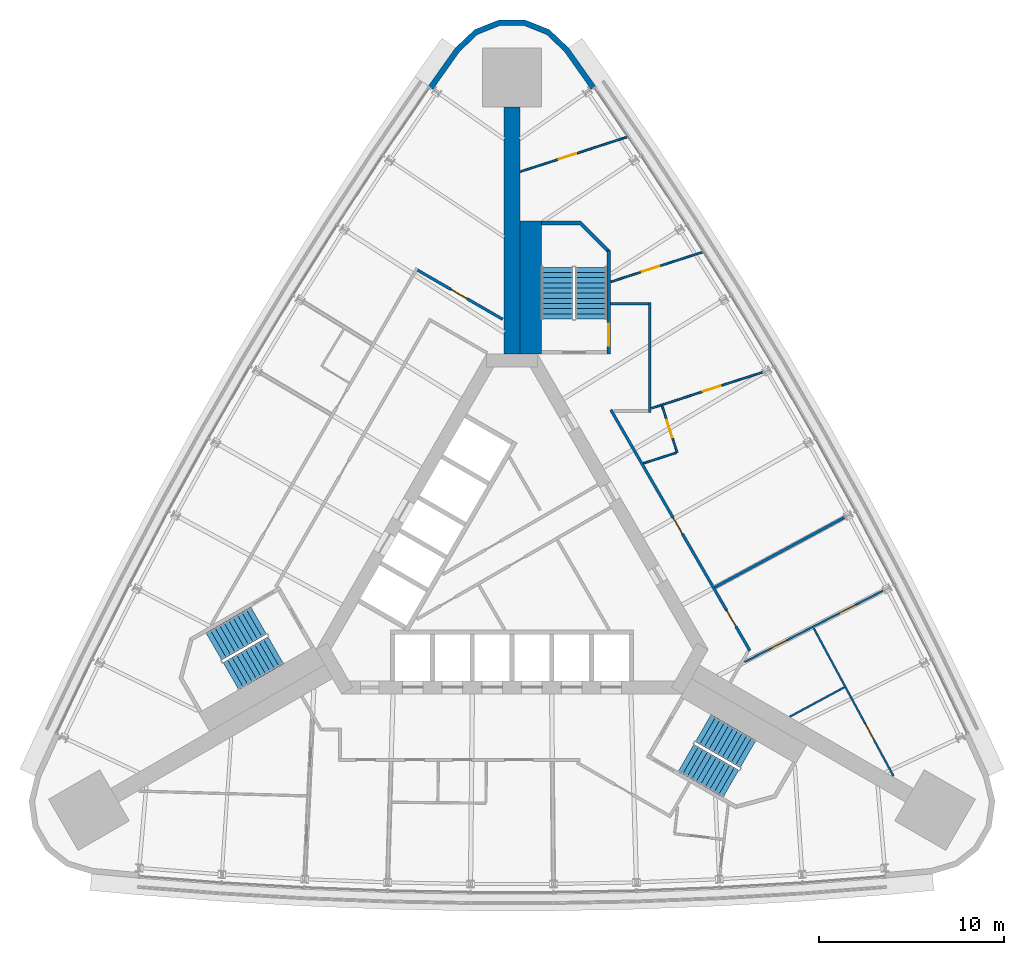
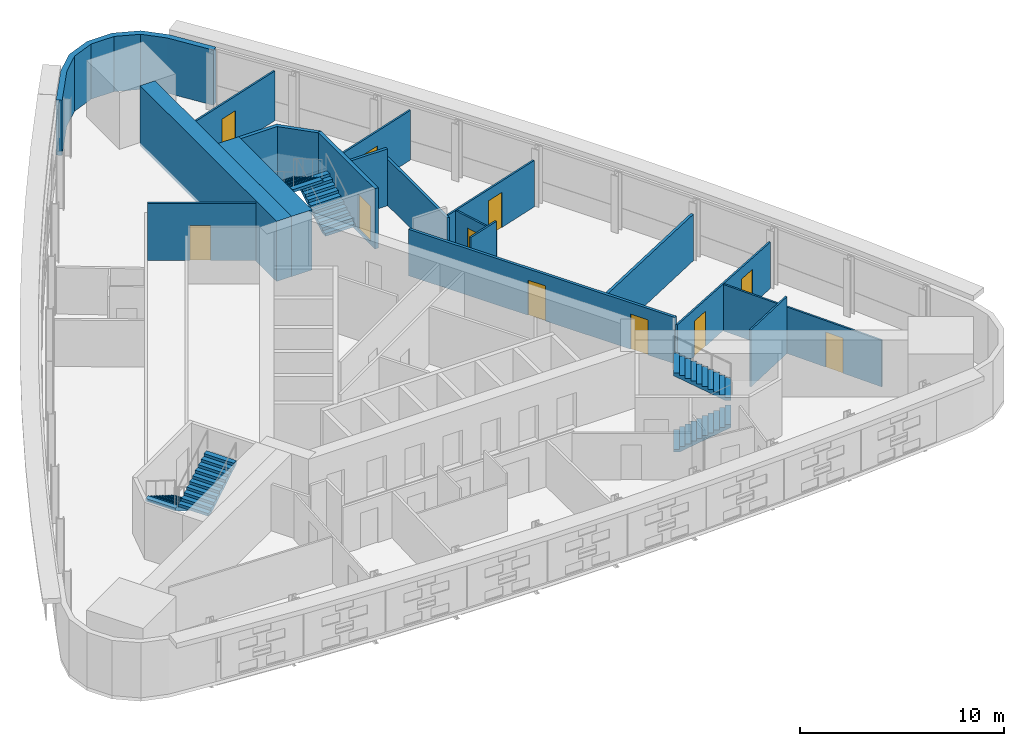
# One storey, part 11 of 14: 18 walls, 11 doors, 6 stair flights, 11 openings, 3 elements without a shape of their own.
"""IFC4 building model written with IfcOpenShell, lengths in metres."""

from ifc_helpers import new_model, si_unit, direction, frame, frame_2d, origin, place, context, subcontext, project, spatial, polyline, rectangle, outline, extrude, material, layer, layer_set, type_object, element, fill, aggregate, save


model = new_model("IFC4")

# Units and contexts
model_context = context("Model", 3, precision=1e-05, world=origin(), true_north=direction((0.0, 1.0)))
body_context = subcontext(model_context, "Body", "Model", "MODEL_VIEW")
ifc_project = project(units=[si_unit("LENGTHUNIT", "METRE"), si_unit("AREAUNIT", "SQUARE_METRE"), si_unit("VOLUMEUNIT", "CUBIC_METRE"), si_unit("PLANEANGLEUNIT", "RADIAN"), si_unit("MASSUNIT", "GRAM", prefix="KILO")], contexts=[model_context])

# Site, building, storey
site_placement = place(None, origin())
site = spatial("IfcSite", under=ifc_project, at=site_placement, CompositionType="ELEMENT")
building_placement = place(site_placement, origin())
building = spatial("IfcBuilding", under=site, at=building_placement, Name="Noor Cloister Tower", CompositionType="ELEMENT")
storey_placement = place(building_placement, frame((0.0, 0.0, 76.199951171875)))
storey = spatial("IfcBuildingStorey", under=building, at=storey_placement, Name="L19", CompositionType="ELEMENT", Elevation=76.199951171875)

# Wall
ifc_material_1 = material(Name="Concrete C80/95", Category="concrete")
ifc_layer_1 = layer(ifc_material_1, 0.85009765625)
ifc_layer_set_1 = layer_set([ifc_layer_1], Name="Buttress wall 850 C80/95")
wall_type_1 = type_object("IfcWallType", Name="Buttress wall 850 C80/95", PredefinedType="SHEAR", material=ifc_layer_set_1)
wall_1_placement = place(storey_placement, frame((0.0, 11.456298828125, -0.199951171875), z_axis=(0.0, 0.0, 1.0), x_axis=(0.0, 1.0, 0.0)))
element("IfcWall", 1, at=wall_1_placement, inside=storey, type_object=wall_type_1, Name="Buttress wall N L19", PredefinedType="SHEAR", context=body_context, shape_type="SweptSolid", body=[
    extrude(rectangle(XDim=13.381591796875, YDim=0.85009765625, at=frame_2d((6.69091796875, 0.0))), origin(), (0.0, 0.0, 1.0), 3.60009765625),
])

# Wall, openings, doors
ifc_material_2 = material(Name="Gypsum board partition on steel studs, 150 mm", Category="steel")
ifc_layer_2 = layer(ifc_material_2, 0.14990234375)
ifc_layer_set_2 = layer_set([ifc_layer_2], Name="Flat wall 150")
wall_type_2 = type_object("IfcWallType", Name="Flat wall 150", PredefinedType="PARTITIONING", material=ifc_layer_set_2)
wall_2_placement = place(storey_placement, frame((5.34619140625, 8.4462890625, 0.0), z_axis=(0.0, 0.0, 1.0), x_axis=(0.500008781656, -0.866020333634, 0.0)))
wall_2 = element("IfcWall", 2, at=wall_2_placement, inside=storey, type_object=wall_type_2, Name="Flat wall 150 L19 003", PredefinedType="PARTITIONING", context=body_context, shape_type="SweptSolid", body=[
    extrude(rectangle(XDim=15.056884765625, YDim=0.14990234375, at=frame_2d((7.5283203125, 0.0))), origin(), (0.0, 0.0, 1.0), 2.778076171875),
])
opening_1_placement = place(wall_2_placement, frame((12.55029296875, 0.0, 0.0)))
opening_1 = element("IfcOpeningElement", 3, at=opening_1_placement, cuts=wall_2, Name="Opening L19-004", PredefinedType="OPENING", context=body_context, shape_type="SweptSolid", body=[
    extrude(rectangle(XDim=1.0, YDim=2.10009765625, at=frame_2d((0.5, 1.050048828125))), frame((0.0, 0.0849609375, 0.0), z_axis=(0.0, -1.0, 0.0), x_axis=(1.0, 0.0, 0.0)), (0.0, 0.0, 1.0), 0.169921875),
])
opening_2_placement = place(wall_2_placement, frame((6.752685546875, 0.0, 0.0)))
opening_2 = element("IfcOpeningElement", 4, at=opening_2_placement, cuts=wall_2, Name="Opening L19-005", PredefinedType="OPENING", context=body_context, shape_type="SweptSolid", body=[
    extrude(rectangle(XDim=1.0, YDim=2.10009765625, at=frame_2d((0.5, 1.050048828125))), frame((0.0, 0.0849609375, 0.0), z_axis=(0.0, -1.0, 0.0), x_axis=(1.0, 0.0, 0.0)), (0.0, 0.0, 1.0), 0.169921875),
])
ifc_material_3 = material(Name="Timber door leaf with steel frame", Category="steel")
door_type_1 = type_object("IfcDoorType", Name="Flat entrance door 1000 FD60S", OperationType="NOTDEFINED", PredefinedType="DOOR", material=ifc_material_3)
door_1_placement = place(opening_1_placement, origin())
door_1 = element("IfcDoor", 5, at=door_1_placement, inside=storey, type_object=door_type_1, Name="Flat entrance door 1000 L19-004", OperationType="SINGLE_SWING_RIGHT", OverallHeight=2.10009765625, OverallWidth=1.0, PredefinedType="DOOR", context=body_context, shape_type="SweptSolid", body=[
    extrude(rectangle(XDim=1.0, YDim=2.10009765625, at=frame_2d((0.5, 1.050048828125))), frame((0.0, 0.02490234375, 0.0), z_axis=(0.0, -1.0, 0.0), x_axis=(1.0, 0.0, 0.0)), (0.0, 0.0, 1.0), 0.050048828125),
])
fill(opening_1, door_1)
door_2_placement = place(opening_2_placement, origin())
door_2 = element("IfcDoor", 6, at=door_2_placement, inside=storey, type_object=door_type_1, Name="Flat entrance door 1000 L19-005", OperationType="SINGLE_SWING_LEFT", OverallHeight=2.10009765625, OverallWidth=1.0, PredefinedType="DOOR", context=body_context, shape_type="SweptSolid", body=[
    extrude(rectangle(XDim=1.0, YDim=2.10009765625, at=frame_2d((0.5, 1.050048828125))), frame((0.0, 0.02490234375, 0.0), z_axis=(0.0, -1.0, 0.0), x_axis=(1.0, 0.0, 0.0)), (0.0, 0.0, 1.0), 0.050048828125),
])
fill(opening_2, door_2)

# Wall
wall_3_placement = place(storey_placement, frame((7.460693359375, 8.306396484375, 0.0), z_axis=(0.0, 0.0, 1.0), x_axis=(0.0, 1.0, 0.0)))
element("IfcWall", 7, at=wall_3_placement, inside=storey, type_object=wall_type_2, Name="Flat wall 150 L19 005", PredefinedType="PARTITIONING", context=body_context, shape_type="SweptSolid", body=[
    extrude(rectangle(XDim=5.949951171875, YDim=0.14990234375, at=frame_2d((2.97509765625, 0.0))), origin(), (0.0, 0.0, 1.0), 2.778076171875),
])

# Wall, opening, door
wall_4_placement = place(storey_placement, frame((-5.111328125, 16.00341796875, 0.0), z_axis=(0.0, 0.0, 1.0), x_axis=(0.866034245675, -0.499984685083, 0.0)))
wall_4 = element("IfcWall", 8, at=wall_4_placement, inside=storey, type_object=wall_type_2, Name="Flat wall 150 L19 007", PredefinedType="PARTITIONING", context=body_context, shape_type="SweptSolid", body=[
    extrude(rectangle(XDim=5.319091796875, YDim=0.14990234375, at=frame_2d((2.65966796875, 0.0))), origin(), (0.0, 0.0, 1.0), 3.400146484375),
])
opening_3_placement = place(wall_4_placement, frame((2.08447265625, 0.0, 0.0)))
opening_3 = element("IfcOpeningElement", 9, at=opening_3_placement, cuts=wall_4, Name="Opening L19-011", PredefinedType="OPENING", context=body_context, shape_type="SweptSolid", body=[
    extrude(rectangle(XDim=1.0, YDim=2.10009765625, at=frame_2d((0.5, 1.050048828125))), frame((0.0, 0.0849609375, 0.0), z_axis=(0.0, -1.0, 0.0), x_axis=(1.0, 0.0, 0.0)), (0.0, 0.0, 1.0), 0.169921875),
])
ifc_material_4 = material(Name="Timber door leaf with steel frame", Category="steel")
door_type_2 = type_object("IfcDoorType", Name="Interior door 1000 FD60", OperationType="NOTDEFINED", PredefinedType="DOOR", material=ifc_material_4)
door_3_placement = place(opening_3_placement, origin())
door_3 = element("IfcDoor", 10, at=door_3_placement, inside=storey, type_object=door_type_2, Name="Interior door 1000 L19-011", OperationType="SINGLE_SWING_LEFT", OverallHeight=2.10009765625, OverallWidth=1.0, PredefinedType="DOOR", context=body_context, shape_type="SweptSolid", body=[
    extrude(rectangle(XDim=1.0, YDim=2.10009765625, at=frame_2d((0.5, 1.050048828125))), frame((0.0, 0.02490234375, 0.0), z_axis=(0.0, -1.0, 0.0), x_axis=(1.0, 0.0, 0.0)), (0.0, 0.0, 1.0), 0.050048828125),
])
fill(opening_3, door_3)

# Walls
wall_5_placement = place(storey_placement, frame((5.335693359375, 14.181396484375, 0.0), z_axis=(0.0, 0.0, 1.0), x_axis=(1.0, 0.0, 0.0)))
element("IfcWall", 11, at=wall_5_placement, inside=storey, type_object=wall_type_2, Name="Flat wall 150 L19 009", PredefinedType="PARTITIONING", context=body_context, shape_type="SweptSolid", body=[
    extrude(rectangle(XDim=2.0498046875, YDim=0.14990234375, at=frame_2d((1.02490234375, 0.0))), origin(), (0.0, 0.0, 1.0), 3.400146484375),
])
wall_6_placement = place(storey_placement, frame((17.98291015625, 2.6162109375, 0.0), z_axis=(0.0, 0.0, 1.0), x_axis=(-0.880118053528, -0.474754896608, 0.0)))
element("IfcWall", 12, at=wall_6_placement, inside=storey, type_object=wall_type_2, Name="Flat wall 150 L19 016", PredefinedType="PARTITIONING", context=body_context, shape_type="SweptSolid", body=[
    extrude(rectangle(XDim=7.954833984375, YDim=0.14990234375, at=frame_2d((3.9775390625, 0.0))), origin(), (0.0, 0.0, 1.0), 2.778076171875),
])
ifc_material_5 = material(Name="Limestone", Category="masonry")
ifc_layer_3 = layer(ifc_material_5, 0.300048828125)
ifc_layer_set_3 = layer_set([ifc_layer_3], Name="Limestone cladding 300")
wall_type_3 = type_object("IfcWallType", Name="Limestone cladding 300", PredefinedType="NOTDEFINED", material=ifc_layer_set_3)
wall_7_placement = place(storey_placement, origin())
element("IfcWall", 13, at=wall_7_placement, inside=storey, type_object=wall_type_3, Name="Limestone pier cladding L19 3.1", PredefinedType="NOTDEFINED", context=body_context, shape_type="SweptSolid", body=[
    extrude(outline(polyline([(4.524169921875, 25.96533203125), (3.05908203125, 28.035888671875), (2.029052734375, 29.013916015625), (0.710205078125, 29.540283203125), (-0.710205078125, 29.540283203125), (-2.029052734375, 29.013916015625), (-3.05908203125, 28.035888671875), (-4.524169921875, 25.96533203125), (-4.279296875, 25.7919921875), (-2.8310546875, 27.838623046875), (-1.864501953125, 28.756591796875), (-0.65234375, 29.240478515625), (0.65234375, 29.240478515625), (1.864501953125, 28.756591796875), (2.8310546875, 27.838623046875), (4.279296875, 25.7919921875), (4.524169921875, 25.96533203125)])), origin(), (0.0, 0.0, 1.0), 3.300048828125),
])

# Wall, opening, door
ifc_material_6 = material(Name="Gypsum board partition on steel studs, 100 mm", Category="steel")
ifc_layer_4 = layer(ifc_material_6, 0.10009765625)
ifc_layer_set_4 = layer_set([ifc_layer_4], Name="Partition 100")
wall_type_4 = type_object("IfcWallType", Name="Partition 100", PredefinedType="PARTITIONING", material=ifc_layer_set_4)
wall_8_placement = place(storey_placement, frame((20.64599609375, -11.380126953125, 0.0), z_axis=(0.0, 0.0, 1.0), x_axis=(-0.474727306664, 0.880132935588, 0.0)))
wall_8 = element("IfcWall", 14, at=wall_8_placement, inside=storey, type_object=wall_type_4, Name="Partition 100 L19 021", PredefinedType="PARTITIONING", context=body_context, shape_type="SweptSolid", body=[
    extrude(rectangle(XDim=9.093505859375, YDim=0.10009765625, at=frame_2d((4.546875, 0.0))), origin(), (0.0, 0.0, 1.0), 2.778076171875),
])
opening_4_placement = place(wall_8_placement, frame((2.2216796875, 0.0, 0.0)))
opening_4 = element("IfcOpeningElement", 15, at=opening_4_placement, cuts=wall_8, Name="Opening L19-012", PredefinedType="OPENING", context=body_context, shape_type="SweptSolid", body=[
    extrude(rectangle(XDim=1.0, YDim=2.10009765625, at=frame_2d((0.5, 1.050048828125))), frame((0.0, 0.06005859375, 0.0), z_axis=(0.0, -1.0, 0.0), x_axis=(1.0, 0.0, 0.0)), (0.0, 0.0, 1.0), 0.1201171875),
])
ifc_material_7 = material(Name="Timber door leaf with steel frame", Category="steel")
door_type_3 = type_object("IfcDoorType", Name="Interior door 1000", OperationType="NOTDEFINED", PredefinedType="DOOR", material=ifc_material_7)
door_4_placement = place(opening_4_placement, origin())
door_4 = element("IfcDoor", 16, at=door_4_placement, inside=storey, type_object=door_type_3, Name="Interior door 1000 L19-012", OperationType="SINGLE_SWING_LEFT", OverallHeight=2.10009765625, OverallWidth=1.0, PredefinedType="DOOR", context=body_context, shape_type="SweptSolid", body=[
    extrude(rectangle(XDim=1.0, YDim=2.10009765625, at=frame_2d((0.5, 1.050048828125))), frame((0.0, 0.02490234375, 0.0), z_axis=(0.0, -1.0, 0.0), x_axis=(1.0, 0.0, 0.0)), (0.0, 0.0, 1.0), 0.050048828125),
])
fill(opening_4, door_4)

# Wall, openings, doors
wall_9_placement = place(storey_placement, frame((20.07373046875, -1.351318359375, 0.0), z_axis=(0.0, 0.0, 1.0), x_axis=(-0.88912315758, -0.457668013582, 0.0)))
wall_9 = element("IfcWall", 17, at=wall_9_placement, inside=storey, type_object=wall_type_4, Name="Partition 100 L19 023", PredefinedType="PARTITIONING", context=body_context, shape_type="SweptSolid", body=[
    extrude(rectangle(XDim=8.428955078125, YDim=0.10009765625, at=frame_2d((4.21435546875, 0.0))), origin(), (0.0, 0.0, 1.0), 2.778076171875),
])
opening_5_placement = place(wall_9_placement, frame((5.8681640625, 0.0, 0.0)))
opening_5 = element("IfcOpeningElement", 18, at=opening_5_placement, cuts=wall_9, Name="Opening L19-013", PredefinedType="OPENING", context=body_context, shape_type="SweptSolid", body=[
    extrude(rectangle(XDim=1.0, YDim=2.10009765625, at=frame_2d((0.5, 1.050048828125))), frame((0.0, 0.06005859375, 0.0), z_axis=(0.0, -1.0, 0.0), x_axis=(1.0, 0.0, 0.0)), (0.0, 0.0, 1.0), 0.1201171875),
])
opening_6_placement = place(wall_9_placement, frame((1.635009765625, 0.0, 0.0)))
opening_6 = element("IfcOpeningElement", 19, at=opening_6_placement, cuts=wall_9, Name="Opening L19-014", PredefinedType="OPENING", context=body_context, shape_type="SweptSolid", body=[
    extrude(rectangle(XDim=1.0, YDim=2.10009765625, at=frame_2d((0.5, 1.050048828125))), frame((0.0, 0.06005859375, 0.0), z_axis=(0.0, -1.0, 0.0), x_axis=(1.0, 0.0, 0.0)), (0.0, 0.0, 1.0), 0.1201171875),
])
door_5_placement = place(opening_5_placement, origin())
door_5 = element("IfcDoor", 20, at=door_5_placement, inside=storey, type_object=door_type_3, Name="Interior door 1000 L19-013", OperationType="SINGLE_SWING_RIGHT", OverallHeight=2.10009765625, OverallWidth=1.0, PredefinedType="DOOR", context=body_context, shape_type="SweptSolid", body=[
    extrude(rectangle(XDim=1.0, YDim=2.10009765625, at=frame_2d((0.5, 1.050048828125))), frame((0.0, 0.02490234375, 0.0), z_axis=(0.0, -1.0, 0.0), x_axis=(1.0, 0.0, 0.0)), (0.0, 0.0, 1.0), 0.050048828125),
])
fill(opening_5, door_5)
door_6_placement = place(opening_6_placement, origin())
door_6 = element("IfcDoor", 21, at=door_6_placement, inside=storey, type_object=door_type_3, Name="Interior door 1000 L19-014", OperationType="SINGLE_SWING_LEFT", OverallHeight=2.10009765625, OverallWidth=1.0, PredefinedType="DOOR", context=body_context, shape_type="SweptSolid", body=[
    extrude(rectangle(XDim=1.0, YDim=2.10009765625, at=frame_2d((0.5, 1.050048828125))), frame((0.0, 0.02490234375, 0.0), z_axis=(0.0, -1.0, 0.0), x_axis=(1.0, 0.0, 0.0)), (0.0, 0.0, 1.0), 0.050048828125),
])
fill(opening_6, door_6)

# Wall, opening, door
wall_10_placement = place(storey_placement, frame((7.551025390625, 8.52880859375, 0.0), z_axis=(0.0, 0.0, 1.0), x_axis=(0.951171490306, 0.308662916511, 0.0)))
wall_10 = element("IfcWall", 22, at=wall_10_placement, inside=storey, type_object=wall_type_4, Name="Partition 100 L19 025", PredefinedType="PARTITIONING", context=body_context, shape_type="SweptSolid", body=[
    extrude(rectangle(XDim=6.301513671875, YDim=0.10009765625, at=frame_2d((3.15087890625, 0.0))), origin(), (0.0, 0.0, 1.0), 2.778076171875),
])
opening_7_placement = place(wall_10_placement, frame((2.935791015625, 0.0, 0.0)))
opening_7 = element("IfcOpeningElement", 23, at=opening_7_placement, cuts=wall_10, Name="Opening L19-017", PredefinedType="OPENING", context=body_context, shape_type="SweptSolid", body=[
    extrude(rectangle(XDim=1.0, YDim=2.10009765625, at=frame_2d((0.5, 1.050048828125))), frame((0.0, 0.06005859375, 0.0), z_axis=(0.0, -1.0, 0.0), x_axis=(1.0, 0.0, 0.0)), (0.0, 0.0, 1.0), 0.1201171875),
])
door_7_placement = place(opening_7_placement, origin())
door_7 = element("IfcDoor", 24, at=door_7_placement, inside=storey, type_object=door_type_3, Name="Interior door 1000 L19-017", OperationType="SINGLE_SWING_RIGHT", OverallHeight=2.10009765625, OverallWidth=1.0, PredefinedType="DOOR", context=body_context, shape_type="SweptSolid", body=[
    extrude(rectangle(XDim=1.0, YDim=2.10009765625, at=frame_2d((0.5, 1.050048828125))), frame((0.0, 0.02490234375, 0.0), z_axis=(0.0, -1.0, 0.0), x_axis=(1.0, 0.0, 0.0)), (0.0, 0.0, 1.0), 0.050048828125),
])
fill(opening_7, door_7)

wall_11_placement = place(storey_placement, frame((0.4404296875, 21.329345703125, 0.0), z_axis=(0.0, 0.0, 1.0), x_axis=(0.951171830883, 0.308661866992, 0.0)))
wall_11 = element("IfcWall", 25, at=wall_11_placement, inside=storey, type_object=wall_type_4, Name="Partition 100 L19 026", PredefinedType="PARTITIONING", context=body_context, shape_type="SweptSolid", body=[
    extrude(rectangle(XDim=6.077880859375, YDim=0.10009765625, at=frame_2d((3.0390625, 0.0))), origin(), (0.0, 0.0, 1.0), 2.97412109375),
])
opening_8_placement = place(wall_11_placement, frame((2.197265625, 0.0, 0.0)))
opening_8 = element("IfcOpeningElement", 26, at=opening_8_placement, cuts=wall_11, Name="Opening L19-018", PredefinedType="OPENING", context=body_context, shape_type="SweptSolid", body=[
    extrude(rectangle(XDim=1.0, YDim=2.10009765625, at=frame_2d((0.5, 1.050048828125))), frame((0.0, 0.06005859375, 0.0), z_axis=(0.0, -1.0, 0.0), x_axis=(1.0, 0.0, 0.0)), (0.0, 0.0, 1.0), 0.1201171875),
])
door_8_placement = place(opening_8_placement, origin())
door_8 = element("IfcDoor", 27, at=door_8_placement, inside=storey, type_object=door_type_3, Name="Interior door 1000 L19-018", OperationType="SINGLE_SWING_LEFT", OverallHeight=2.10009765625, OverallWidth=1.0, PredefinedType="DOOR", context=body_context, shape_type="SweptSolid", body=[
    extrude(rectangle(XDim=1.0, YDim=2.10009765625, at=frame_2d((0.5, 1.050048828125))), frame((0.0, 0.02490234375, 0.0), z_axis=(0.0, -1.0, 0.0), x_axis=(1.0, 0.0, 0.0)), (0.0, 0.0, 1.0), 0.050048828125),
])
fill(opening_8, door_8)

wall_12_placement = place(storey_placement, frame((5.35107421875, 15.368896484375, 0.0), z_axis=(0.0, 0.0, 1.0), x_axis=(0.951165555735, 0.308681203807, 0.0)))
wall_12 = element("IfcWall", 28, at=wall_12_placement, inside=storey, type_object=wall_type_4, Name="Partition 100 L19 028", PredefinedType="PARTITIONING", context=body_context, shape_type="SweptSolid", body=[
    extrude(rectangle(XDim=5.208984375, YDim=0.10009765625, at=frame_2d((2.6044921875, 0.0))), origin(), (0.0, 0.0, 1.0), 2.97412109375),
])
opening_9_placement = place(wall_12_placement, frame((1.76611328125, 0.0, 0.0)))
opening_9 = element("IfcOpeningElement", 29, at=opening_9_placement, cuts=wall_12, Name="Opening L19-019", PredefinedType="OPENING", context=body_context, shape_type="SweptSolid", body=[
    extrude(rectangle(XDim=1.0, YDim=2.10009765625, at=frame_2d((0.5, 1.050048828125))), frame((0.0, 0.06005859375, 0.0), z_axis=(0.0, -1.0, 0.0), x_axis=(1.0, 0.0, 0.0)), (0.0, 0.0, 1.0), 0.1201171875),
])
door_9_placement = place(opening_9_placement, origin())
door_9 = element("IfcDoor", 30, at=door_9_placement, inside=storey, type_object=door_type_3, Name="Interior door 1000 L19-019", OperationType="SINGLE_SWING_LEFT", OverallHeight=2.10009765625, OverallWidth=1.0, PredefinedType="DOOR", context=body_context, shape_type="SweptSolid", body=[
    extrude(rectangle(XDim=1.0, YDim=2.10009765625, at=frame_2d((0.5, 1.050048828125))), frame((0.0, 0.02490234375, 0.0), z_axis=(0.0, -1.0, 0.0), x_axis=(1.0, 0.0, 0.0)), (0.0, 0.0, 1.0), 0.050048828125),
])
fill(opening_9, door_9)

# Wall
wall_13_placement = place(storey_placement, frame((17.993896484375, -6.56884765625, 0.0), z_axis=(0.0, 0.0, 1.0), x_axis=(-0.880148573472, -0.474698313263, 0.0)))
element("IfcWall", 31, at=wall_13_placement, inside=storey, type_object=wall_type_4, Name="Partition 100 L19 030", PredefinedType="PARTITIONING", context=body_context, shape_type="SweptSolid", body=[
    extrude(rectangle(XDim=3.3564453125, YDim=0.10009765625, at=frame_2d((1.67822265625, 0.0))), origin(), (0.0, 0.0, 1.0), 3.400146484375),
])

# Wall, opening, door
wall_14_placement = place(storey_placement, frame((8.9384765625, 6.140380859375, 0.0), z_axis=(0.0, 0.0, 1.0), x_axis=(-0.308644385593, 0.951177503541, 0.0)))
wall_14 = element("IfcWall", 32, at=wall_14_placement, inside=storey, type_object=wall_type_4, Name="Partition 100 L19 031", PredefinedType="PARTITIONING", context=body_context, shape_type="SweptSolid", body=[
    extrude(rectangle(XDim=2.64990234375, YDim=0.10009765625, at=frame_2d((1.324951171875, 0.0))), origin(), (0.0, 0.0, 1.0), 2.778076171875),
])
opening_10_placement = place(wall_14_placement, frame((0.85009765625, 0.0, 0.0)))
opening_10 = element("IfcOpeningElement", 33, at=opening_10_placement, cuts=wall_14, Name="Opening L19-021", PredefinedType="OPENING", context=body_context, shape_type="SweptSolid", body=[
    extrude(rectangle(XDim=1.0, YDim=2.10009765625, at=frame_2d((0.5, 1.050048828125))), frame((0.0, 0.06005859375, 0.0), z_axis=(0.0, -1.0, 0.0), x_axis=(1.0, 0.0, 0.0)), (0.0, 0.0, 1.0), 0.1201171875),
])
door_10_placement = place(opening_10_placement, origin())
door_10 = element("IfcDoor", 34, at=door_10_placement, inside=storey, type_object=door_type_3, Name="Interior door 1000 L19-021", OperationType="SINGLE_SWING_RIGHT", OverallHeight=2.10009765625, OverallWidth=1.0, PredefinedType="DOOR", context=body_context, shape_type="SweptSolid", body=[
    extrude(rectangle(XDim=1.0, YDim=2.10009765625, at=frame_2d((0.5, 1.050048828125))), frame((0.0, 0.02490234375, 0.0), z_axis=(0.0, -1.0, 0.0), x_axis=(1.0, 0.0, 0.0)), (0.0, 0.0, 1.0), 0.050048828125),
])
fill(opening_10, door_10)

# Walls
wall_15_placement = place(storey_placement, frame((7.117431640625, 5.54931640625, 0.0), z_axis=(0.0, 0.0, 1.0), x_axis=(0.951141782181, 0.308754449667, 0.0)))
element("IfcWall", 35, at=wall_15_placement, inside=storey, type_object=wall_type_4, Name="Partition 100 L19 036", PredefinedType="PARTITIONING", context=body_context, shape_type="SweptSolid", body=[
    extrude(rectangle(XDim=1.864501953125, YDim=0.10009765625, at=frame_2d((0.93212890625, 0.0))), origin(), (0.0, 0.0, 1.0), 3.400146484375),
])
ifc_material_8 = material(Name="Concrete C80/95", Category="concrete")
ifc_layer_5 = layer(ifc_material_8, 1.160888671875)
ifc_layer_set_5 = layer_set([ifc_layer_5], Name="Stair enclosure wall 1161 C80/95")
wall_type_5 = type_object("IfcWallType", Name="Stair enclosure wall 1161 C80/95", PredefinedType="SHEAR", material=ifc_layer_set_5)
wall_16_placement = place(storey_placement, frame((1.00537109375, 11.456298828125, -0.199951171875), z_axis=(0.0, 0.0, 1.0), x_axis=(0.0, 1.0, 0.0)))
element("IfcWall", 36, at=wall_16_placement, inside=storey, type_object=wall_type_5, Name="Stair enclosure wall ST1 L19 riser side", PredefinedType="SHEAR", context=body_context, shape_type="SweptSolid", body=[
    extrude(rectangle(XDim=7.2001953125, YDim=1.16064453125, at=frame_2d((3.60009765625, 0.0))), origin(), (0.0, 0.0, 1.0), 3.60009765625),
])

# Wall, opening, door
ifc_material_9 = material(Name="Concrete C80/95", Category="concrete")
ifc_layer_6 = layer(ifc_material_9, 0.199951171875)
ifc_layer_set_6 = layer_set([ifc_layer_6], Name="Stair enclosure wall 200 C80/95")
wall_type_6 = type_object("IfcWallType", Name="Stair enclosure wall 200 C80/95", PredefinedType="SHEAR", material=ifc_layer_set_6)
wall_17_placement = place(storey_placement, frame((5.235595703125, 11.456298828125, -0.199951171875), z_axis=(0.0, 0.0, 1.0), x_axis=(0.0, 1.0, 0.0)))
wall_17 = element("IfcWall", 37, at=wall_17_placement, inside=storey, type_object=wall_type_6, Name="Stair enclosure wall ST1 L19 outer side", PredefinedType="SHEAR", context=body_context, shape_type="SweptSolid", body=[
    extrude(rectangle(XDim=5.60009765625, YDim=0.199951171875, at=frame_2d((2.800048828125, 0.0))), origin(), (0.0, 0.0, 1.0), 3.60009765625),
])
opening_11_placement = place(wall_17_placement, frame((0.449951171875, 0.0, 0.199951171875)))
opening_11 = element("IfcOpeningElement", 38, at=opening_11_placement, cuts=wall_17, Name="Opening L19-ST1C", PredefinedType="OPENING", context=body_context, shape_type="SweptSolid", body=[
    extrude(rectangle(XDim=1.199951171875, YDim=2.10009765625, at=frame_2d((0.60009765625, 1.050048828125))), frame((0.0, 0.10986328125, 0.0), z_axis=(0.0, -1.0, 0.0), x_axis=(1.0, 0.0, 0.0)), (0.0, 0.0, 1.0), 0.219970703125),
])
ifc_material_10 = material(Name="Steel", Category="steel")
door_type_4 = type_object("IfcDoorType", Name="Stair door 1200 x 2100 FD120", OperationType="SINGLE_SWING_LEFT", PredefinedType="DOOR", material=ifc_material_10)
door_11_placement = place(opening_11_placement, origin())
door_11 = element("IfcDoor", 39, at=door_11_placement, inside=storey, type_object=door_type_4, Name="Stair door ST1 L19", OperationType="SINGLE_SWING_LEFT", OverallHeight=2.10009765625, OverallWidth=1.199951171875, PredefinedType="DOOR", context=body_context, shape_type="SweptSolid", body=[
    extrude(rectangle(XDim=1.199951171875, YDim=2.10009765625, at=frame_2d((0.60009765625, 1.050048828125))), frame((0.0, 0.02490234375, 0.0), z_axis=(0.0, -1.0, 0.0), x_axis=(1.0, 0.0, 0.0)), (0.0, 0.0, 1.0), 0.050048828125),
])
fill(opening_11, door_11)

# Wall
ifc_material_11 = material(Name="Concrete C80/95", Category="concrete")
wall_type_7 = type_object("IfcWallType", Name="Stair far end wall C80/95", PredefinedType="SHEAR", material=ifc_material_11)
wall_18_placement = place(storey_placement, frame((0.0, 0.0, -0.199951171875)))
element("IfcWall", 40, at=wall_18_placement, inside=storey, type_object=wall_type_7, Name="Stair enclosure wall ST1 L19 far end", PredefinedType="SHEAR", context=body_context, shape_type="SweptSolid", body=[
    extrude(outline(polyline([(5.335693359375, 17.056396484375), (3.735595703125, 18.656494140625), (1.585693359375, 18.656494140625), (1.585693359375, 18.456298828125), (3.65283203125, 18.456298828125), (5.135498046875, 16.9736328125), (5.135498046875, 17.056396484375), (5.135498046875, 17.056396484375), (5.135498046875, 17.056396484375), (5.135498046875, 17.056396484375), (5.135498046875, 17.056396484375), (5.135498046875, 17.056396484375), (5.135498046875, 17.056396484375), (5.135498046875, 17.056396484375), (5.135498046875, 17.056396484375), (5.135498046875, 17.056396484375), (5.135498046875, 17.056396484375), (5.135498046875, 17.056396484375), (5.135498046875, 17.056396484375), (5.135498046875, 17.056396484375), (5.135498046875, 17.056396484375), (5.135498046875, 17.056396484375), (5.135498046875, 17.056396484375), (5.335693359375, 17.056396484375)])), origin(), (0.0, 0.0, 1.0), 3.60009765625),
])

# Stair, stair flights
ifc_material_12 = material(Name="Concrete C40/50", Category="concrete")
stair_type = type_object("IfcStairType", Name="Exit stair 22 risers", PredefinedType="HALF_TURN_STAIR", material=ifc_material_12)
stair_1_placement = place(storey_placement, origin())
stair_1 = element("IfcStair", 41, at=stair_1_placement, inside=storey, type_object=stair_type, Name="Exit stair ST1 L19", PredefinedType="HALF_TURN_STAIR")
ifc_material_13 = material(Name="Concrete C40/50", Category="concrete")
stair_flight_type = type_object("IfcStairFlightType", Name="Exit stair flight", PredefinedType="STRAIGHT", material=ifc_material_13)
stair_flight_1_placement = place(storey_placement, frame((4.28564453125, 13.3564453125, 0.0), z_axis=(0.0, 0.0, 1.0), x_axis=(0.0, 1.0, 0.0)))
stair_flight_1 = element("IfcStairFlight", 42, at=stair_flight_1_placement, type_object=stair_flight_type, Name="ST1 flight 1", NumberOfRisers=11, NumberOfTreads=10, PredefinedType="STRAIGHT", RiserHeight=0.163636364, TreadLength=0.28, context=body_context, shape_type="SweptSolid", body=[
    extrude(outline(polyline([(0.0, 0.0), (0.0, 0.16357421875), (0.280029296875, 0.16357421875), (0.280029296875, 0.327392578125), (0.56005859375, 0.327392578125), (0.56005859375, 0.490966796875), (0.840087890625, 0.490966796875), (0.840087890625, 0.654541015625), (1.1201171875, 0.654541015625), (1.1201171875, 0.818115234375), (1.39990234375, 0.818115234375), (1.39990234375, 0.98193359375), (1.679931640625, 0.98193359375), (1.679931640625, 1.1455078125), (1.9599609375, 1.1455078125), (1.9599609375, 1.30908203125), (2.239990234375, 1.30908203125), (2.239990234375, 1.47265625), (2.52001953125, 1.47265625), (2.52001953125, 1.636474609375), (2.800048828125, 1.636474609375), (2.800048828125, 1.800048828125), (2.800048828125, 1.462646484375), (0.297119140625, 0.0), (0.0, 0.0)])), frame((0.0, 0.85009765625, 0.0), z_axis=(0.0, -1.0, 0.0), x_axis=(1.0, 0.0, 0.0)), (0.0, 0.0, 1.0), 1.699951171875),
])
stair_flight_2_placement = place(storey_placement, frame((2.435546875, 16.156494140625, 1.800048828125), z_axis=(0.0, 0.0, 1.0), x_axis=(0.0, -1.0, 0.0)))
stair_flight_2 = element("IfcStairFlight", 43, at=stair_flight_2_placement, type_object=stair_flight_type, Name="ST1 flight 2", NumberOfRisers=11, NumberOfTreads=10, PredefinedType="STRAIGHT", RiserHeight=0.163636364, TreadLength=0.28, context=body_context, shape_type="SweptSolid", body=[
    extrude(outline(polyline([(0.0, 0.0), (0.0, 0.16357421875), (0.280029296875, 0.16357421875), (0.280029296875, 0.327392578125), (0.56005859375, 0.327392578125), (0.56005859375, 0.490966796875), (0.840087890625, 0.490966796875), (0.840087890625, 0.654541015625), (1.1201171875, 0.654541015625), (1.1201171875, 0.818115234375), (1.39990234375, 0.818115234375), (1.39990234375, 0.98193359375), (1.679931640625, 0.98193359375), (1.679931640625, 1.1455078125), (1.9599609375, 1.1455078125), (1.9599609375, 1.30908203125), (2.239990234375, 1.30908203125), (2.239990234375, 1.47265625), (2.52001953125, 1.47265625), (2.52001953125, 1.636474609375), (2.800048828125, 1.636474609375), (2.800048828125, 1.800048828125), (2.800048828125, 1.462646484375), (0.297119140625, 0.0), (0.0, 0.0)])), frame((0.0, 0.85009765625, 0.0), z_axis=(0.0, -1.0, 0.0), x_axis=(1.0, 0.0, 0.0)), (0.0, 0.0, 1.0), 1.699951171875),
])
aggregate(stair_1, [stair_flight_1, stair_flight_2])

stair_2_placement = place(storey_placement, origin())
stair_2 = element("IfcStair", 44, at=stair_2_placement, inside=storey, type_object=stair_type, Name="Exit stair ST2 L19", PredefinedType="HALF_TURN_STAIR")
stair_flight_3_placement = place(storey_placement, frame((-13.709716796875, -2.966796875, 0.0), z_axis=(0.0, 0.0, 1.0), x_axis=(-0.866025403784, -0.5, 0.0)))
stair_flight_3 = element("IfcStairFlight", 45, at=stair_flight_3_placement, type_object=stair_flight_type, Name="ST2 flight 1", NumberOfRisers=11, NumberOfTreads=10, PredefinedType="STRAIGHT", RiserHeight=0.163636364, TreadLength=0.28, context=body_context, shape_type="SweptSolid", body=[
    extrude(outline(polyline([(0.0, 0.0), (0.0, 0.16357421875), (0.280029296875, 0.16357421875), (0.280029296875, 0.327392578125), (0.56005859375, 0.327392578125), (0.56005859375, 0.490966796875), (0.840087890625, 0.490966796875), (0.840087890625, 0.654541015625), (1.1201171875, 0.654541015625), (1.1201171875, 0.818115234375), (1.39990234375, 0.818115234375), (1.39990234375, 0.98193359375), (1.679931640625, 0.98193359375), (1.679931640625, 1.1455078125), (1.9599609375, 1.1455078125), (1.9599609375, 1.30908203125), (2.239990234375, 1.30908203125), (2.239990234375, 1.47265625), (2.52001953125, 1.47265625), (2.52001953125, 1.636474609375), (2.800048828125, 1.636474609375), (2.800048828125, 1.800048828125), (2.800048828125, 1.462646484375), (0.297119140625, 0.0), (0.0, 0.0)])), frame((0.0, 0.85009765625, 0.0), z_axis=(0.0, -1.0, 0.0), x_axis=(1.0, 0.0, 0.0)), (0.0, 0.0, 1.0), 1.699951171875),
])
stair_flight_4_placement = place(storey_placement, frame((-15.209716796875, -5.968994140625, 1.800048828125), z_axis=(0.0, 0.0, 1.0), x_axis=(0.866025403784, 0.5, 0.0)))
stair_flight_4 = element("IfcStairFlight", 46, at=stair_flight_4_placement, type_object=stair_flight_type, Name="ST2 flight 2", NumberOfRisers=11, NumberOfTreads=10, PredefinedType="STRAIGHT", RiserHeight=0.163636364, TreadLength=0.28, context=body_context, shape_type="SweptSolid", body=[
    extrude(outline(polyline([(0.0, 0.0), (0.0, 0.16357421875), (0.280029296875, 0.16357421875), (0.280029296875, 0.327392578125), (0.56005859375, 0.327392578125), (0.56005859375, 0.490966796875), (0.840087890625, 0.490966796875), (0.840087890625, 0.654541015625), (1.1201171875, 0.654541015625), (1.1201171875, 0.818115234375), (1.39990234375, 0.818115234375), (1.39990234375, 0.98193359375), (1.679931640625, 0.98193359375), (1.679931640625, 1.1455078125), (1.9599609375, 1.1455078125), (1.9599609375, 1.30908203125), (2.239990234375, 1.30908203125), (2.239990234375, 1.47265625), (2.52001953125, 1.47265625), (2.52001953125, 1.636474609375), (2.800048828125, 1.636474609375), (2.800048828125, 1.800048828125), (2.800048828125, 1.462646484375), (0.297119140625, 0.0), (0.0, 0.0)])), frame((0.0, 0.85009765625, 0.0), z_axis=(0.0, -1.0, 0.0), x_axis=(1.0, 0.0, 0.0)), (0.0, 0.0, 1.0), 1.699951171875),
])
aggregate(stair_2, [stair_flight_3, stair_flight_4])

stair_3_placement = place(storey_placement, origin())
stair_3 = element("IfcStair", 47, at=stair_3_placement, inside=storey, type_object=stair_type, Name="Exit stair ST3 L19", PredefinedType="HALF_TURN_STAIR")
stair_flight_5_placement = place(storey_placement, frame((9.424072265625, -10.3896484375, 0.0), z_axis=(0.0, 0.0, 1.0), x_axis=(0.866025403784, -0.5, 0.0)))
stair_flight_5 = element("IfcStairFlight", 48, at=stair_flight_5_placement, type_object=stair_flight_type, Name="ST3 flight 1", NumberOfRisers=11, NumberOfTreads=10, PredefinedType="STRAIGHT", RiserHeight=0.163636364, TreadLength=0.28, context=body_context, shape_type="SweptSolid", body=[
    extrude(outline(polyline([(0.0, 0.0), (0.0, 0.16357421875), (0.280029296875, 0.16357421875), (0.280029296875, 0.327392578125), (0.56005859375, 0.327392578125), (0.56005859375, 0.490966796875), (0.840087890625, 0.490966796875), (0.840087890625, 0.654541015625), (1.1201171875, 0.654541015625), (1.1201171875, 0.818115234375), (1.39990234375, 0.818115234375), (1.39990234375, 0.98193359375), (1.679931640625, 0.98193359375), (1.679931640625, 1.1455078125), (1.9599609375, 1.1455078125), (1.9599609375, 1.30908203125), (2.239990234375, 1.30908203125), (2.239990234375, 1.47265625), (2.52001953125, 1.47265625), (2.52001953125, 1.636474609375), (2.800048828125, 1.636474609375), (2.800048828125, 1.800048828125), (2.800048828125, 1.462646484375), (0.297119140625, 0.0), (0.0, 0.0)])), frame((0.0, 0.85009765625, 0.0), z_axis=(0.0, -1.0, 0.0), x_axis=(1.0, 0.0, 0.0)), (0.0, 0.0, 1.0), 1.699951171875),
])
stair_flight_6_placement = place(storey_placement, frame((12.77392578125, -10.1875, 1.800048828125), z_axis=(0.0, 0.0, 1.0), x_axis=(-0.866025403784, 0.5, 0.0)))
stair_flight_6 = element("IfcStairFlight", 49, at=stair_flight_6_placement, type_object=stair_flight_type, Name="ST3 flight 2", NumberOfRisers=11, NumberOfTreads=10, PredefinedType="STRAIGHT", RiserHeight=0.163636364, TreadLength=0.28, context=body_context, shape_type="SweptSolid", body=[
    extrude(outline(polyline([(0.0, 0.0), (0.0, 0.16357421875), (0.280029296875, 0.16357421875), (0.280029296875, 0.327392578125), (0.56005859375, 0.327392578125), (0.56005859375, 0.490966796875), (0.840087890625, 0.490966796875), (0.840087890625, 0.654541015625), (1.1201171875, 0.654541015625), (1.1201171875, 0.818115234375), (1.39990234375, 0.818115234375), (1.39990234375, 0.98193359375), (1.679931640625, 0.98193359375), (1.679931640625, 1.1455078125), (1.9599609375, 1.1455078125), (1.9599609375, 1.30908203125), (2.239990234375, 1.30908203125), (2.239990234375, 1.47265625), (2.52001953125, 1.47265625), (2.52001953125, 1.636474609375), (2.800048828125, 1.636474609375), (2.800048828125, 1.800048828125), (2.800048828125, 1.462646484375), (0.297119140625, 0.0), (0.0, 0.0)])), frame((0.0, 0.85009765625, 0.0), z_axis=(0.0, -1.0, 0.0), x_axis=(1.0, 0.0, 0.0)), (0.0, 0.0, 1.0), 1.699951171875),
])
aggregate(stair_3, [stair_flight_5, stair_flight_6])

save(model, "model.ifc")
